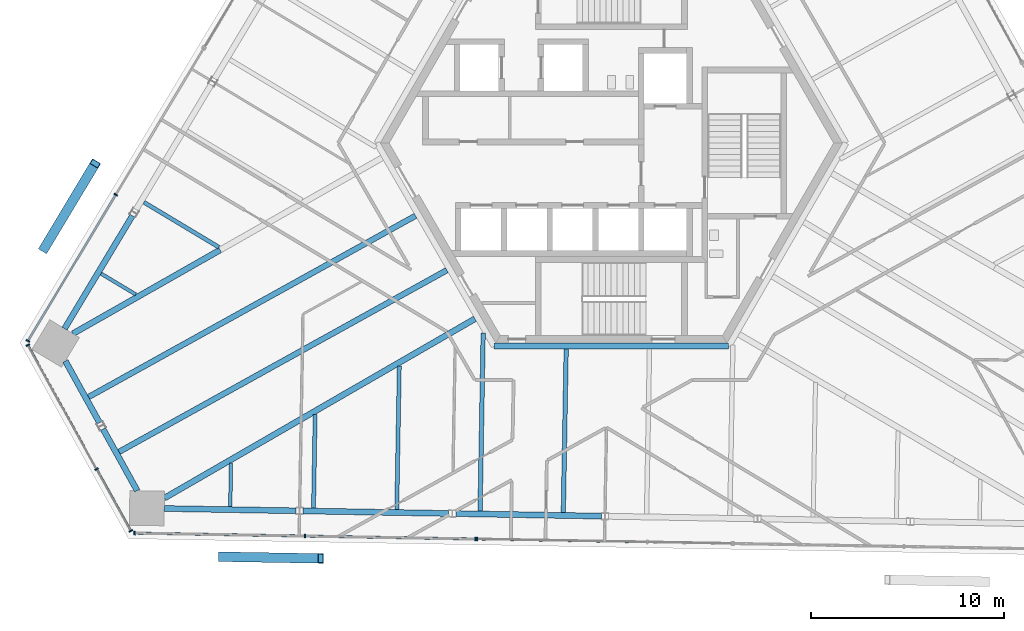
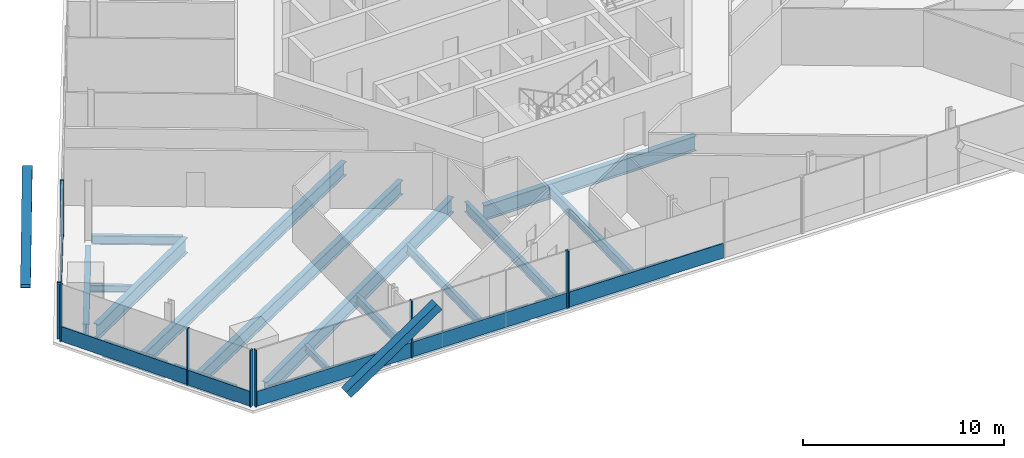
# One storey, part 4 of 19: 18 beams, 17 members, 4 elements without a shape of their own.
"""IFC4 building model written with IfcOpenShell, lengths in metres."""

import ifcopenshell
import ifcopenshell.guid

model = None  # the IFC model being written
_history = None  # IfcOwnerHistory: only IFC2X3 demands one
_inside = {}  # id of a spatial element -> (the spatial element, [elements in it])
_under = {}  # id of a project, library or spatial element -> (it, [spatial elements below it])
_declared = {}  # id of a project -> (the project, [libraries it declares])
_typed = {}  # id of a type object -> (the type object, [elements of that type])
_made_of = {}  # id of a material, layer set ... -> (it, [elements and type objects made of it])


def new_model(schema):
    """Start an empty IFC model of exactly this schema.

    Asked for "IFC4X3", IfcOpenShell would pick the latest addendum, in which some entities
    have other attributes; the version numbers below select the first issue.
    IFC2X3 requires an IfcOwnerHistory on every rooted entity: one is made here for all.
    """
    global model, _history
    if schema == "IFC4X3":
        model = ifcopenshell.file(schema_version=(4, 3, 0, 0))
    else:
        model = ifcopenshell.file(schema=schema)
    _inside.clear()
    _under.clear()
    _declared.clear()
    _typed.clear()
    _made_of.clear()
    _history = None
    if model.schema == "IFC2X3":
        org = make("IfcOrganization", Name="unknown")
        user = make(
            "IfcPersonAndOrganization",
            ThePerson=make("IfcPerson", FamilyName="unknown"),
            TheOrganization=org,
        )
        app = make(
            "IfcApplication",
            ApplicationDeveloper=org,
            Version="unknown",
            ApplicationFullName="unknown",
            ApplicationIdentifier="unknown",
        )
        _history = make(
            "IfcOwnerHistory",
            OwningUser=user,
            OwningApplication=app,
            ChangeAction="ADDED",
            CreationDate=0,
        )
    return model


def make(cls, **values):
    """One entity of the class cls with the attributes given. An attribute that is None is left unset."""
    return model.create_entity(
        cls, **{name: value for name, value in values.items() if value is not None}
    )


def rooted(cls, **values):
    """An entity with a GlobalId (a new one), such as an element, a storey or a relation."""
    return make(cls, GlobalId=ifcopenshell.guid.new(), OwnerHistory=_history, **values)


def si_unit(unit_type, name, prefix=None):
    """IfcSIUnit, for example si_unit("LENGTHUNIT", "METRE", prefix="MILLI")."""
    return make("IfcSIUnit", UnitType=unit_type, Prefix=prefix, Name=name)


def assignment(units):
    """IfcUnitAssignment: the units of a project."""
    return None if units is None else make("IfcUnitAssignment", Units=units)


def point(xyz):
    """IfcCartesianPoint."""
    return None if xyz is None else make("IfcCartesianPoint", Coordinates=xyz)


def direction(xyz):
    """IfcDirection."""
    return None if xyz is None else make("IfcDirection", DirectionRatios=xyz)


def frame(location, z_axis=None, x_axis=None):
    """IfcAxis2Placement3D, a coordinate frame: its origin and axes. An axis left out is left unset."""
    return make(
        "IfcAxis2Placement3D",
        Location=point(location),
        Axis=direction(z_axis),
        RefDirection=direction(x_axis),
    )


def frame_2d(location, x_axis=None):
    """IfcAxis2Placement2D, a coordinate frame in the plane: its origin and x axis."""
    return make(
        "IfcAxis2Placement2D", Location=point(location), RefDirection=direction(x_axis)
    )


def origin():
    """The frame at (0, 0, 0) with its axes left unset."""
    return frame((0.0, 0.0, 0.0))


def origin_2d():
    """The frame at (0, 0) in the plane with its x axis left unset."""
    return frame_2d((0.0, 0.0))


def place(relative_to, where):
    """IfcLocalPlacement: puts the frame where relative to a parent placement (None: the world)."""
    return make(
        "IfcLocalPlacement", PlacementRelTo=relative_to, RelativePlacement=where
    )


def context(
    kind, dimensions, precision=None, world=None, true_north=None, identifier=None
):
    """IfcGeometricRepresentationContext, for example the 3D "Model" context."""
    return make(
        "IfcGeometricRepresentationContext",
        ContextIdentifier=identifier,
        ContextType=kind,
        CoordinateSpaceDimension=dimensions,
        Precision=precision,
        WorldCoordinateSystem=world,
        TrueNorth=true_north,
    )


def subcontext(parent, identifier, kind, view, scale=None):
    """IfcGeometricRepresentationSubContext, for example "Body" below "Model"."""
    return make(
        "IfcGeometricRepresentationSubContext",
        ContextIdentifier=identifier,
        ContextType=kind,
        ParentContext=parent,
        TargetScale=scale,
        TargetView=view,
    )


def project(units=None, contexts=None):
    """IfcProject with its units and contexts."""
    return rooted(
        "IfcProject",
        Name="project",
        RepresentationContexts=contexts,
        UnitsInContext=assignment(units),
    )


def spatial(cls, under=None, at=None, **own):
    """A site, building, storey or space (cls), placed at a placement, below another one or the project."""
    s = rooted(cls, ObjectPlacement=at, **own)
    if under is not None:
        _under.setdefault(under.id(), (under, []))[1].append(s)
    return s


def profile(cls, at=None, kind="AREA", **sizes):
    """A parametric profile (cls). Its sizes go by their IFC names, for example OverallWidth=200.0."""
    return make(cls, ProfileType=kind, Position=at, **sizes)


def rectangle(**sizes):
    """IfcRectangleProfileDef."""
    return profile("IfcRectangleProfileDef", **sizes)


def hollow_rectangle(**sizes):
    """IfcRectangleHollowProfileDef."""
    return profile("IfcRectangleHollowProfileDef", **sizes)


def i_section(**sizes):
    """IfcIShapeProfileDef."""
    return profile("IfcIShapeProfileDef", **sizes)


def extrude(swept, where, along, depth):
    """IfcExtrudedAreaSolid: the profile swept, set in the frame where, extruded along a direction by depth."""
    return make(
        "IfcExtrudedAreaSolid",
        SweptArea=swept,
        Position=where,
        ExtrudedDirection=direction(along),
        Depth=depth,
    )


def shape(context_of_items, identifier, shape_type, items):
    """IfcShapeRepresentation: the items that make up one representation, for example the "Body"."""
    return make(
        "IfcShapeRepresentation",
        ContextOfItems=context_of_items,
        RepresentationIdentifier=identifier,
        RepresentationType=shape_type,
        Items=items,
    )


def source(mapping_origin, context_of_items, identifier, shape_type, items):
    """IfcRepresentationMap: a shape defined once, which mapped items show again and again."""
    return make(
        "IfcRepresentationMap",
        MappingOrigin=mapping_origin,
        MappedRepresentation=shape(context_of_items, identifier, shape_type, items),
    )


def transform(
    local_origin,
    x_axis=None,
    y_axis=None,
    z_axis=None,
    scale=None,
    scale2=None,
    scale3=None,
    uniform=True,
):
    """IfcCartesianTransformationOperator3D, or its non-uniform kind. x_axis, y_axis, z_axis: its Axis1, 2, 3."""
    if uniform:
        return make(
            "IfcCartesianTransformationOperator3D",
            Axis1=direction(x_axis),
            Axis2=direction(y_axis),
            LocalOrigin=point(local_origin),
            Scale=scale,
            Axis3=direction(z_axis),
        )
    return make(
        "IfcCartesianTransformationOperator3DnonUniform",
        Axis1=direction(x_axis),
        Axis2=direction(y_axis),
        LocalOrigin=point(local_origin),
        Scale=scale,
        Axis3=direction(z_axis),
        Scale2=scale2,
        Scale3=scale3,
    )


def mapped(mapping_source, mapping_target):
    """IfcMappedItem: shows the shape of a source again, moved by a transform."""
    return make(
        "IfcMappedItem", MappingSource=mapping_source, MappingTarget=mapping_target
    )


def material(Name=None, Category=None):
    """IfcMaterial."""
    return make("IfcMaterial", Name=Name, Category=Category)


def material_profile(
    of_material, cross_section, Name=None, Category=None, Priority=None
):
    """IfcMaterialProfile: a cross section and its material."""
    return make(
        "IfcMaterialProfile",
        Name=Name,
        Material=of_material,
        Profile=cross_section,
        Priority=Priority,
        Category=Category,
    )


def profile_set(profiles, Name=None, composite=None):
    """IfcMaterialProfileSet."""
    return make(
        "IfcMaterialProfileSet",
        Name=Name,
        MaterialProfiles=profiles,
        CompositeProfile=composite,
    )


def made_of(thing, what):
    """Note that an element or type object is made of a material, layer set ...; save() writes the relation."""
    if what is not None:
        _made_of.setdefault(what.id(), (what, []))[1].append(thing)
    return thing


def type_object(cls, material=None, **own):
    """A type object (cls), such as IfcWallType, which elements share."""
    return made_of(rooted(cls, **own), material)


def element(
    cls,
    number,
    at=None,
    inside=None,
    cuts=None,
    type_object=None,
    material=None,
    context=None,
    identifier="Body",
    shape_type=None,
    held_by="IfcProductDefinitionShape",
    body=None,
    shapes=None,
    **own,
):
    """One element of the class cls, such as IfcWall. Its Tag is "e" and its number.

    at: its placement. inside: the storey or other place that contains it. cuts: it is an
    opening in that element (IfcRelVoidsElement). A single representation is given by context,
    identifier, shape_type and body (its items); several are given by shapes. held_by: the class
    of the entity that holds the representations. save() writes the other relations.
    """
    e = rooted(cls, Tag="e%d" % number, ObjectPlacement=at, **own)
    if body is not None:
        shapes = [shape(context, identifier, shape_type, body)]
    if shapes is not None:
        e.Representation = make(held_by, Representations=shapes)
    if inside is not None:
        _inside.setdefault(inside.id(), (inside, []))[1].append(e)
    if cuts is not None:
        rooted(
            "IfcRelVoidsElement", RelatingBuildingElement=cuts, RelatedOpeningElement=e
        )
    if type_object is not None:
        _typed.setdefault(type_object.id(), (type_object, []))[1].append(e)
    return made_of(e, material)


def aggregate(whole, parts):
    """IfcRelAggregates: a whole, such as a stair, and the parts it consists of."""
    return rooted("IfcRelAggregates", RelatingObject=whole, RelatedObjects=parts)


def save(model, path):
    """Write the relations noted so far, then the file.

    IfcRelAggregates (storeys below a building ...), IfcRelContainedInSpatialStructure (elements
    in a storey), IfcRelDefinesByType, IfcRelAssociatesMaterial and IfcRelDeclares: one each for
    every whole, place, type object, material and project.
    """
    for whole, parts in _under.values():
        aggregate(whole, parts)
    for where, things in _inside.values():
        rooted(
            "IfcRelContainedInSpatialStructure",
            RelatedElements=things,
            RelatingStructure=where,
        )
    for kind, things in _typed.values():
        rooted("IfcRelDefinesByType", RelatedObjects=things, RelatingType=kind)
    for what, things in _made_of.values():
        rooted("IfcRelAssociatesMaterial", RelatedObjects=things, RelatingMaterial=what)
    for by, libraries in _declared.values():
        rooted("IfcRelDeclares", RelatingContext=by, RelatedDefinitions=libraries)
    model.write(path)


model = new_model("IFC4")

# Units and contexts
model_context = context("Model", 3, precision=1e-05, world=origin(), true_north=direction((0.0, 1.0)))
body_context = subcontext(model_context, "Body", "Model", "MODEL_VIEW")
ifc_project = project(units=[si_unit("LENGTHUNIT", "METRE"), si_unit("AREAUNIT", "SQUARE_METRE"), si_unit("VOLUMEUNIT", "CUBIC_METRE"), si_unit("PLANEANGLEUNIT", "RADIAN"), si_unit("MASSUNIT", "GRAM", prefix="KILO")], contexts=[model_context])

# Site, building, storey
site_placement = place(None, origin())
site = spatial("IfcSite", under=ifc_project, at=site_placement, CompositionType="ELEMENT")
building_placement = place(site_placement, origin())
building = spatial("IfcBuilding", under=site, at=building_placement, Name="Triune Harvest Tower", CompositionType="ELEMENT")
storey_placement = place(building_placement, frame((0.0, 0.0, 183.5)))
storey = spatial("IfcBuildingStorey", under=building, at=storey_placement, Name="L47", CompositionType="ELEMENT", Elevation=183.5)

# Beams
ifc_material_1 = material(Name="Steel ASTM A992 Gr 50", Category="steel")
ifc_material_profile_1 = material_profile(ifc_material_1, i_section(OverallWidth=0.3046875, OverallDepth=0.914306640625, WebThickness=0.0166015625, FlangeThickness=0.02587890625, at=origin_2d()), Name="W36x160")
ifc_profile_set_1 = profile_set([ifc_material_profile_1], Name="Steel ASTM A992 Gr 50")
beam_type_1 = type_object("IfcBeamType", Name="CG-1 Core ring girder W36x160", PredefinedType="BEAM", material=ifc_profile_set_1)
shared_shape_1 = source(origin(), body_context, "Body", "SweptSolid", [
    extrude(i_section(OverallWidth=0.3046875, OverallDepth=0.914306640625, WebThickness=0.0166015625, FlangeThickness=0.02587890625, at=origin_2d()), origin(), (0.0, 0.0, 1.0), 12.17578125),
])
beam_1_placement = place(storey_placement, frame((-6.087890625, -10.544677734375, -0.6171875), z_axis=(1.0, 0.0, 0.0), x_axis=(0.0, 1.0, 0.0)))
element("IfcBeam", 1, at=beam_1_placement, inside=storey, type_object=beam_type_1, Name="beam/L47/CG5", PredefinedType="BEAM", context=body_context, shape_type="MappedRepresentation", body=[
    mapped(shared_shape_1, transform((0.0, 0.0, 0.0), scale=1.0)),
])
ifc_material_2 = material(Name="Steel ASTM A992 Gr 50", Category="steel")
ifc_material_profile_2 = material_profile(ifc_material_2, i_section(OverallWidth=0.3046875, OverallDepth=0.914306640625, WebThickness=0.0166015625, FlangeThickness=0.02587890625, at=origin_2d()), Name="W36x160")
ifc_profile_set_2 = profile_set([ifc_material_profile_2], Name="Steel ASTM A992 Gr 50")
beam_type_2 = type_object("IfcBeamType", Name="SB-1 Spandrel beam W36x160", PredefinedType="SPANDREL", material=ifc_profile_set_2)
shared_shape_2 = source(origin(), body_context, "Body", "SweptSolid", [
    extrude(i_section(OverallWidth=0.3046875, OverallDepth=0.914306640625, WebThickness=0.0166015625, FlangeThickness=0.02587890625, at=origin_2d()), origin(), (0.0, 0.0, 1.0), 6.841796875),
])
for number, where, z_axis, x_axis, name in (
    (2, (-24.86865234375, -3.77001953125, -0.6171875), (-0.515057137128, -0.857155846678, 0.0), (0.857155846678, -0.515057137128, 0.0), "beam/L47/SB14"),
    (3, (-23.21630859375, -18.97265625, -0.6171875), (0.999847751763, -0.01744916312, 0.0), (0.01744916312, 0.999847751763, 0.0), "beam/L47/SB17"),
):
    element("IfcBeam", number, at=place(storey_placement, frame(where, z_axis=z_axis, x_axis=x_axis)), inside=storey, type_object=beam_type_2, Name=name, PredefinedType="SPANDREL", context=body_context, shape_type="MappedRepresentation", body=[
        mapped(shared_shape_2, transform((0.0, 0.0, 0.0), scale=1.0)),
    ])
shared_shape_3 = source(origin(), body_context, "Body", "SweptSolid", [
    extrude(i_section(OverallWidth=0.3046875, OverallDepth=0.914306640625, WebThickness=0.0166015625, FlangeThickness=0.02587890625, at=origin_2d()), origin(), (0.0, 0.0, 1.0), 7.556396484375),
])
for number, where, z_axis, x_axis, name in (
    (4, (-16.0048828125, -19.098388671875, -0.6171875), (0.99984722371, -0.017479394688, 0.0), (0.017479394688, 0.99984722371, 0.0), "beam/L47/SB18"),
    (5, (-8.078857421875, -19.23681640625, -0.6171875), (0.99984722371, -0.017479394688, 0.0), (0.017479394688, 0.99984722371, 0.0), "beam/L47/SB19"),
):
    element("IfcBeam", number, at=place(storey_placement, frame(where, z_axis=z_axis, x_axis=x_axis)), inside=storey, type_object=beam_type_2, Name=name, PredefinedType="SPANDREL", context=body_context, shape_type="MappedRepresentation", body=[
        mapped(shared_shape_3, transform((0.0, 0.0, 0.0), scale=1.0)),
    ])
shared_shape_4 = source(origin(), body_context, "Body", "SweptSolid", [
    extrude(i_section(OverallWidth=0.3046875, OverallDepth=0.914306640625, WebThickness=0.0166015625, FlangeThickness=0.02587890625, at=origin_2d()), origin(), (0.0, 0.0, 1.0), 3.66357421875),
])
beam_2_placement = place(storey_placement, frame((-26.396240234375, -14.84375, -0.6171875), z_axis=(0.484794006312, -0.874628361903, 0.0), x_axis=(0.874628361903, 0.484794006312, 0.0)))
element("IfcBeam", 6, at=beam_2_placement, inside=storey, type_object=beam_type_2, Name="beam/L47/SB16", PredefinedType="SPANDREL", context=body_context, shape_type="MappedRepresentation", body=[
    mapped(shared_shape_4, transform((0.0, 0.0, 0.0), scale=1.0)),
])
shared_shape_5 = source(origin(), body_context, "Body", "SweptSolid", [
    extrude(i_section(OverallWidth=0.3046875, OverallDepth=0.914306640625, WebThickness=0.0166015625, FlangeThickness=0.02587890625, at=origin_2d()), origin(), (0.0, 0.0, 1.0), 3.663818359375),
])
beam_3_placement = place(storey_placement, frame((-28.352294921875, -11.31494140625, -0.6171875), z_axis=(0.484844980499, -0.874600105697, 0.0), x_axis=(0.874600105697, 0.484844980499, 0.0)))
element("IfcBeam", 7, at=beam_3_placement, inside=storey, type_object=beam_type_2, Name="beam/L47/SB15", PredefinedType="SPANDREL", context=body_context, shape_type="MappedRepresentation", body=[
    mapped(shared_shape_5, transform((0.0, 0.0, 0.0), scale=1.0)),
])
ifc_material_3 = material(Name="Steel ASTM A992 Gr 50", Category="steel")
ifc_material_profile_3 = material_profile(ifc_material_3, i_section(OverallWidth=0.307373046875, OverallDepth=0.922119140625, WebThickness=0.018310546875, FlangeThickness=0.030029296875, at=origin_2d()), Name="W36x182")
ifc_profile_set_3 = profile_set([ifc_material_profile_3], Name="Steel ASTM A992 Gr 50")
beam_type_3 = type_object("IfcBeamType", Name="HG-2 Hip girder W36x182", PredefinedType="BEAM", material=ifc_profile_set_3)
shared_shape_6 = source(origin(), body_context, "Body", "SweptSolid", [
    extrude(i_section(OverallWidth=0.307373046875, OverallDepth=0.922119140625, WebThickness=0.018310546875, FlangeThickness=0.030029296875, at=origin_2d()), origin(), (0.0, 0.0, 1.0), 8.79150390625),
])
beam_4_placement = place(storey_placement, frame((-27.958251953125, -9.8955078125, -0.62109375), z_axis=(0.869275144509, 0.494328557883, 0.0), x_axis=(-0.494328557883, 0.869275144509, 0.0)))
element("IfcBeam", 8, at=beam_4_placement, inside=storey, type_object=beam_type_3, Name="beam/L47/HG5", PredefinedType="BEAM", context=body_context, shape_type="MappedRepresentation", body=[
    mapped(shared_shape_6, transform((0.0, 0.0, 0.0), scale=1.0)),
])
shared_shape_7 = source(origin(), body_context, "Body", "SweptSolid", [
    extrude(i_section(OverallWidth=0.307373046875, OverallDepth=0.922119140625, WebThickness=0.018310546875, FlangeThickness=0.030029296875, at=origin_2d()), origin(), (0.0, 0.0, 1.0), 18.616455078125),
])
beam_5_placement = place(storey_placement, frame((-23.206787109375, -18.431884765625, -0.62109375), z_axis=(0.866022449336, 0.50000511722, 0.0), x_axis=(-0.50000511722, 0.866022449336, 0.0)))
element("IfcBeam", 9, at=beam_5_placement, inside=storey, type_object=beam_type_3, Name="beam/L47/HG7", PredefinedType="BEAM", context=body_context, shape_type="MappedRepresentation", body=[
    mapped(shared_shape_7, transform((0.0, 0.0, 0.0), scale=1.0)),
])
ifc_material_4 = material(Name="Steel ASTM A992 Gr 50", Category="steel")
ifc_material_profile_4 = material_profile(ifc_material_4, i_section(OverallWidth=0.22900390625, OverallDepth=0.612060546875, WebThickness=0.011962890625, FlangeThickness=0.01953125, at=origin_2d()), Name="W24x84")
ifc_profile_set_4 = profile_set([ifc_material_profile_4], Name="Steel ASTM A992 Gr 50")
beam_type_4 = type_object("IfcBeamType", Name="JT-3 Floor joist W24x84", PredefinedType="JOIST", material=ifc_profile_set_4)
shared_shape_8 = source(origin(), body_context, "Body", "SweptSolid", [
    extrude(i_section(OverallWidth=0.22900390625, OverallDepth=0.612060546875, WebThickness=0.011962890625, FlangeThickness=0.01953125, at=origin_2d()), origin(), (0.0, 0.0, 1.0), 9.247314453125),
])
beam_6_placement = place(storey_placement, frame((-6.8203125, -19.1064453125, -0.466064453125), z_axis=(0.017451330541, 0.999847713936, 0.0), x_axis=(-0.999847713936, 0.017451330541, 0.0)))
element("IfcBeam", 10, at=beam_6_placement, inside=storey, type_object=beam_type_4, Name="beam/L47/JT28", PredefinedType="JOIST", context=body_context, shape_type="MappedRepresentation", body=[
    mapped(shared_shape_8, transform((0.0, 0.0, 0.0), scale=1.0)),
])
shared_shape_9 = source(origin(), body_context, "Body", "SweptSolid", [
    extrude(i_section(OverallWidth=0.22900390625, OverallDepth=0.612060546875, WebThickness=0.011962890625, FlangeThickness=0.01953125, at=origin_2d()), origin(), (0.0, 0.0, 1.0), 8.486083984375),
])
beam_7_placement = place(storey_placement, frame((-2.4970703125, -19.181884765625, -0.466064453125), z_axis=(0.017434191628, 0.999848012931, 0.0), x_axis=(-0.999848012931, 0.017434191628, 0.0)))
element("IfcBeam", 11, at=beam_7_placement, inside=storey, type_object=beam_type_4, Name="beam/L47/JT29", PredefinedType="JOIST", context=body_context, shape_type="MappedRepresentation", body=[
    mapped(shared_shape_9, transform((0.0, 0.0, 0.0), scale=1.0)),
])
ifc_material_5 = material(Name="Steel ASTM A992 Gr 50", Category="steel")
ifc_material_profile_5 = material_profile(ifc_material_5, i_section(OverallWidth=0.2099609375, OverallDepth=0.535888671875, WebThickness=0.010986328125, FlangeThickness=0.017333984375, at=origin_2d()), Name="W21x68")
ifc_profile_set_5 = profile_set([ifc_material_profile_5], Name="Steel ASTM A992 Gr 50")
beam_type_5 = type_object("IfcBeamType", Name="JT-2 Floor joist W21x68", PredefinedType="JOIST", material=ifc_profile_set_5)
shared_shape_10 = source(origin(), body_context, "Body", "SweptSolid", [
    extrude(i_section(OverallWidth=0.2099609375, OverallDepth=0.535888671875, WebThickness=0.010986328125, FlangeThickness=0.017333984375, at=origin_2d()), origin(), (0.0, 0.0, 1.0), 4.538818359375),
])
beam_8_placement = place(storey_placement, frame((-24.271484375, -3.072021484375, -0.427978515625), z_axis=(0.85717477652, -0.515025632855, 0.0), x_axis=(0.515025632855, 0.85717477652, 0.0)))
element("IfcBeam", 12, at=beam_8_placement, inside=storey, type_object=beam_type_5, Name="beam/L47/JT21", PredefinedType="JOIST", context=body_context, shape_type="MappedRepresentation", body=[
    mapped(shared_shape_10, transform((0.0, 0.0, 0.0), scale=1.0)),
])
ifc_material_6 = material(Name="Steel ASTM A992 Gr 50", Category="steel")
ifc_material_profile_6 = material_profile(ifc_material_6, i_section(OverallWidth=0.2919921875, OverallDepth=0.8408203125, WebThickness=0.0146484375, FlangeThickness=0.021728515625, at=origin_2d()), Name="W33x130")
ifc_profile_set_6 = profile_set([ifc_material_profile_6], Name="Steel ASTM A992 Gr 50")
beam_type_6 = type_object("IfcBeamType", Name="JT-6 Floor joist W33x130", PredefinedType="JOIST", material=ifc_profile_set_6)
shared_shape_11 = source(origin(), body_context, "Body", "SweptSolid", [
    extrude(i_section(OverallWidth=0.2919921875, OverallDepth=0.8408203125, WebThickness=0.0146484375, FlangeThickness=0.021728515625, at=origin_2d()), origin(), (0.0, 0.0, 1.0), 19.403564453125),
])
beam_9_placement = place(storey_placement, frame((-27.142822265625, -13.1826171875, -0.580322265625), z_axis=(0.874615069694, 0.484817986325, 0.0), x_axis=(-0.484817986325, 0.874615069694, 0.0)))
element("IfcBeam", 13, at=beam_9_placement, inside=storey, type_object=beam_type_6, Name="beam/L47/JT23", PredefinedType="JOIST", context=body_context, shape_type="MappedRepresentation", body=[
    mapped(shared_shape_11, transform((0.0, 0.0, 0.0), scale=1.0)),
])
shared_shape_12 = source(origin(), body_context, "Body", "SweptSolid", [
    extrude(i_section(OverallWidth=0.2919921875, OverallDepth=0.8408203125, WebThickness=0.0146484375, FlangeThickness=0.021728515625, at=origin_2d()), origin(), (0.0, 0.0, 1.0), 19.460205078125),
])
beam_10_placement = place(storey_placement, frame((-25.562744140625, -16.03271484375, -0.580322265625), z_axis=(0.874617874633, 0.484812926161, 0.0), x_axis=(-0.484812926161, 0.874617874633, 0.0)))
element("IfcBeam", 14, at=beam_10_placement, inside=storey, type_object=beam_type_6, Name="beam/L47/JT24", PredefinedType="JOIST", context=body_context, shape_type="MappedRepresentation", body=[
    mapped(shared_shape_12, transform((0.0, 0.0, 0.0), scale=1.0)),
])
shared_shape_13 = source(origin(), body_context, "Body", "SweptSolid", [
    extrude(i_section(OverallWidth=0.2099609375, OverallDepth=0.535888671875, WebThickness=0.010986328125, FlangeThickness=0.017333984375, at=origin_2d()), origin(), (0.0, 0.0, 1.0), 4.864501953125),
])
beam_11_placement = place(storey_placement, frame((-15.467041015625, -18.95556640625, -0.427978515625), z_axis=(0.017465461228, 0.999847467199, 0.0), x_axis=(-0.999847467199, 0.017465461228, 0.0)))
element("IfcBeam", 15, at=beam_11_placement, inside=storey, type_object=beam_type_5, Name="beam/L47/JT26", PredefinedType="JOIST", context=body_context, shape_type="MappedRepresentation", body=[
    mapped(shared_shape_13, transform((0.0, 0.0, 0.0), scale=1.0)),
])
ifc_material_7 = material(Name="Steel ASTM A992 Gr 50", Category="steel")
ifc_material_profile_7 = material_profile(ifc_material_7, i_section(OverallWidth=0.180908203125, OverallDepth=0.41650390625, WebThickness=0.010986328125, FlangeThickness=0.01806640625, at=origin_2d()), Name="W16x57")
ifc_profile_set_7 = profile_set([ifc_material_profile_7], Name="Steel ASTM A992 Gr 50")
beam_type_7 = type_object("IfcBeamType", Name="JT-1 Floor joist W16x57", PredefinedType="JOIST", material=ifc_profile_set_7)
shared_shape_14 = source(origin(), body_context, "Body", "SweptSolid", [
    extrude(i_section(OverallWidth=0.180908203125, OverallDepth=0.41650390625, WebThickness=0.010986328125, FlangeThickness=0.01806640625, at=origin_2d()), origin(), (0.0, 0.0, 1.0), 2.104736328125),
])
beam_12_placement = place(storey_placement, frame((-26.498291015625, -6.7783203125, -0.368408203125), z_axis=(0.857185733632, -0.51500739612, 0.0), x_axis=(0.51500739612, 0.857185733632, 0.0)))
element("IfcBeam", 16, at=beam_12_placement, inside=storey, type_object=beam_type_7, Name="beam/L47/JT22", PredefinedType="JOIST", context=body_context, shape_type="MappedRepresentation", body=[
    mapped(shared_shape_14, transform((0.0, 0.0, 0.0), scale=1.0)),
])
shared_shape_15 = source(origin(), body_context, "Body", "SweptSolid", [
    extrude(i_section(OverallWidth=0.180908203125, OverallDepth=0.41650390625, WebThickness=0.010986328125, FlangeThickness=0.01806640625, at=origin_2d()), origin(), (0.0, 0.0, 1.0), 2.26611328125),
])
beam_13_placement = place(storey_placement, frame((-19.790283203125, -18.8798828125, -0.368408203125), z_axis=(0.017452357155, 0.999847696017, 0.0), x_axis=(-0.999847696017, 0.017452357155, 0.0)))
element("IfcBeam", 17, at=beam_13_placement, inside=storey, type_object=beam_type_7, Name="beam/L47/JT25", PredefinedType="JOIST", context=body_context, shape_type="MappedRepresentation", body=[
    mapped(shared_shape_15, transform((0.0, 0.0, 0.0), scale=1.0)),
])
shared_shape_16 = source(origin(), body_context, "Body", "SweptSolid", [
    extrude(i_section(OverallWidth=0.2099609375, OverallDepth=0.535888671875, WebThickness=0.010986328125, FlangeThickness=0.017333984375, at=origin_2d()), origin(), (0.0, 0.0, 1.0), 7.462890625),
])
beam_14_placement = place(storey_placement, frame((-11.143798828125, -19.031005859375, -0.427978515625), z_axis=(0.017469440512, 0.99984739768, 0.0), x_axis=(-0.99984739768, 0.017469440512, 0.0)))
element("IfcBeam", 18, at=beam_14_placement, inside=storey, type_object=beam_type_5, Name="beam/L47/JT27", PredefinedType="JOIST", context=body_context, shape_type="MappedRepresentation", body=[
    mapped(shared_shape_16, transform((0.0, 0.0, 0.0), scale=1.0)),
])

# Members
ifc_material_8 = material(Name="Steel ASTM A572 Gr 50", Category="steel")
ifc_material_profile_8 = material_profile(ifc_material_8, hollow_rectangle(XDim=0.5, YDim=0.5, WallThickness=0.030029296875, at=origin_2d()), Name="Box 500x500x30")
ifc_profile_set_8 = profile_set([ifc_material_profile_8], Name="Steel ASTM A572 Gr 50")
member_type_1 = type_object("IfcMemberType", Name="BR-3 Brace Box 500x500x30", PredefinedType="BRACE", material=ifc_profile_set_8)
shared_shape_17 = source(origin(), body_context, "Body", "SweptSolid", [
    extrude(hollow_rectangle(XDim=0.5, YDim=0.5, WallThickness=0.030029296875, at=origin_2d()), origin(), (0.0, 0.0, 1.0), 6.302734375),
])
for number, where, z_axis, x_axis, name in (
    (19, (-29.46630859375, -5.495849609375, 0.0), (0.422753164689, 0.703581499304, 0.571185465136), (-0.857167973286, 0.515036955541, 0.0), "brace/B5-F3/d2/2"),
    (20, (-20.264892578125, -21.4765625, 0.0), (0.820689805227, -0.01433214839, 0.571194216636), (0.017460876598, 0.999847547273, 0.0), "brace/B5-F5/d1/2"),
):
    element("IfcMember", number, at=place(storey_placement, frame(where, z_axis=z_axis, x_axis=x_axis)), inside=storey, type_object=member_type_1, Name=name, PredefinedType="BRACE", context=body_context, shape_type="MappedRepresentation", body=[
        mapped(shared_shape_17, transform((0.0, 0.0, 0.0), scale=1.0)),
    ])

# Curtain wall, members
ifc_material_9 = material(Name="Aluminium bronze anodised", Category="aluminium")
curtain_wall_type_1 = type_object("IfcCurtainWallType", Name="CW-1 Tower stick curtain wall", PredefinedType="NOTDEFINED", material=ifc_material_9)
curtain_wall_1_placement = place(storey_placement, origin())
curtain_wall_1 = element("IfcCurtainWall", 21, at=curtain_wall_1_placement, inside=storey, type_object=curtain_wall_type_1, Name="CW-1 B5-F4 L47 run 1")
ifc_material_10 = material(Name="Aluminium bronze anodised", Category="aluminium")
ifc_material_profile_9 = material_profile(ifc_material_10, rectangle(XDim=0.199951171875, YDim=0.074951171875, at=origin_2d()), Name="MU-1 mullion 75 x 200")
ifc_profile_set_9 = profile_set([ifc_material_profile_9], Name="Aluminium bronze anodised")
member_type_2 = type_object("IfcMemberType", Name="MU-1 mullion 75 x 200", PredefinedType="MULLION", material=ifc_profile_set_9)
shared_shape_18 = source(origin(), body_context, "Body", "SweptSolid", [
    extrude(rectangle(XDim=0.199951171875, YDim=0.074951171875, at=origin_2d()), origin(), (0.0, 0.0, 1.0), 3.43994140625),
])
member_1_placement = place(storey_placement, frame((-30.297607421875, -10.4912109375, 0.0), z_axis=(0.0, 0.0, 1.0), x_axis=(0.874623958582, 0.484801950362, 0.0)))
member_1 = element("IfcMember", 22, at=member_1_placement, type_object=member_type_2, Name="CW-1 mullion B5-F4 1.1", PredefinedType="MULLION", context=body_context, shape_type="MappedRepresentation", body=[
    mapped(shared_shape_18, transform((0.0, 0.0, 0.0), scale=1.0)),
])
member_2_placement = place(storey_placement, frame((-26.72802734375, -16.930908203125, 0.0), z_axis=(0.0, 0.0, 1.0), x_axis=(0.874623958582, 0.484801950362, 0.0)))
member_2 = element("IfcMember", 23, at=member_2_placement, type_object=member_type_2, Name="CW-1 mullion B5-F4 1.3", PredefinedType="MULLION", context=body_context, shape_type="MappedRepresentation", body=[
    mapped(shared_shape_18, transform((0.0, 0.0, 0.0), scale=1.0)),
])
member_3_placement = place(storey_placement, frame((-24.952392578125, -20.13427734375, 0.0), z_axis=(0.0, 0.0, 1.0), x_axis=(0.874623958582, 0.484801950362, 0.0)))
member_3 = element("IfcMember", 24, at=member_3_placement, type_object=member_type_2, Name="CW-1 mullion B5-F4 1.4", PredefinedType="MULLION", context=body_context, shape_type="MappedRepresentation", body=[
    mapped(shared_shape_18, transform((0.0, 0.0, 0.0), scale=1.0)),
])

ifc_material_11 = material(Name="Aluminium bronze anodised", Category="aluminium")
curtain_wall_type_2 = type_object("IfcCurtainWallType", Name="CW-7 Tower stick curtain wall with insulated spandrel infill", PredefinedType="NOTDEFINED", material=ifc_material_11)
curtain_wall_2_placement = place(storey_placement, origin())
curtain_wall_2 = element("IfcCurtainWall", 25, at=curtain_wall_2_placement, inside=storey, type_object=curtain_wall_type_2, Name="CW-7 B5-F5 L47 run 1")
member_4_placement = place(storey_placement, frame((-24.76318359375, -20.248046875, 0.0), z_axis=(0.0, 0.0, 1.0), x_axis=(0.017451045864, 0.999847718904, 0.0)))
member_4 = element("IfcMember", 26, at=member_4_placement, type_object=member_type_2, Name="CW-7 mullion B5-F5 1.1", PredefinedType="MULLION", context=body_context, shape_type="MappedRepresentation", body=[
    mapped(shared_shape_18, transform((0.0, 0.0, 0.0), scale=1.0)),
])
member_5_placement = place(storey_placement, frame((-15.913330078125, -20.402587890625, 0.0), z_axis=(0.0, 0.0, 1.0), x_axis=(0.017451045864, 0.999847718904, 0.0)))
member_5 = element("IfcMember", 27, at=member_5_placement, type_object=member_type_2, Name="CW-7 mullion B5-F5 1.3", PredefinedType="MULLION", context=body_context, shape_type="MappedRepresentation", body=[
    mapped(shared_shape_18, transform((0.0, 0.0, 0.0), scale=1.0)),
])
member_6_placement = place(storey_placement, frame((-7.063720703125, -20.556884765625, 0.0), z_axis=(0.0, 0.0, 1.0), x_axis=(0.017451045864, 0.999847718904, 0.0)))
member_6 = element("IfcMember", 28, at=member_6_placement, type_object=member_type_2, Name="CW-7 mullion B5-F5 1.5", PredefinedType="MULLION", context=body_context, shape_type="MappedRepresentation", body=[
    mapped(shared_shape_18, transform((0.0, 0.0, 0.0), scale=1.0)),
])

# Curtain wall, member
curtain_wall_3_placement = place(storey_placement, origin())
curtain_wall_3 = element("IfcCurtainWall", 29, at=curtain_wall_3_placement, inside=storey, type_object=curtain_wall_type_1, Name="CW-1 B5-F5 L47 run 1001")
member_7_placement = place(storey_placement, frame((-6.98876953125, -20.558349609375, 0.0), z_axis=(0.0, 0.0, 1.0), x_axis=(0.017453288654, 0.999847679757, 0.0)))
member_7 = element("IfcMember", 30, at=member_7_placement, type_object=member_type_2, Name="CW-1 mullion B5-F5 1001.1", PredefinedType="MULLION", context=body_context, shape_type="MappedRepresentation", body=[
    mapped(shared_shape_18, transform((0.0, 0.0, 0.0), scale=1.0)),
])

# Curtain wall, members
ifc_material_12 = material(Name="Aluminium bronze anodised", Category="aluminium")
curtain_wall_type_3 = type_object("IfcCurtainWallType", Name="CW-10 Balcony window wall with insulated spandrel infill", PredefinedType="NOTDEFINED", material=ifc_material_12)
curtain_wall_4_placement = place(storey_placement, origin())
curtain_wall_4 = element("IfcCurtainWall", 31, at=curtain_wall_4_placement, inside=storey, type_object=curtain_wall_type_3, Name="CW-10 B5-F3 L47 run 1002")
ifc_material_13 = material(Name="Aluminium bronze anodised", Category="aluminium")
ifc_material_profile_10 = material_profile(ifc_material_13, rectangle(XDim=0.199951171875, YDim=0.074951171875, at=origin_2d()), Name="MU-6 mullion 75 x 200")
ifc_profile_set_10 = profile_set([ifc_material_profile_10], Name="Aluminium bronze anodised")
member_type_3 = type_object("IfcMemberType", Name="MU-6 mullion 75 x 200", PredefinedType="MULLION", material=ifc_profile_set_10)
shared_shape_19 = source(origin(), body_context, "Body", "SweptSolid", [
    extrude(rectangle(XDim=0.199951171875, YDim=0.074951171875, at=origin_2d()), origin(), (0.0, 0.0, 1.0), 3.43994140625),
])
member_8_placement = place(storey_placement, frame((-25.7314453125, -2.677734375, 0.0), z_axis=(0.0, 0.0, 1.0), x_axis=(0.85716855673, -0.515035984523, 0.0)))
member_8 = element("IfcMember", 32, at=member_8_placement, type_object=member_type_3, Name="CW-10 mullion B5-F3 1002.3", PredefinedType="MULLION", context=body_context, shape_type="MappedRepresentation", body=[
    mapped(shared_shape_19, transform((0.0, 0.0, 0.0), scale=1.0)),
])
member_9_placement = place(storey_placement, frame((-30.293701171875, -10.2705078125, 0.0), z_axis=(0.0, 0.0, 1.0), x_axis=(0.85716855673, -0.515035984523, 0.0)))
member_9 = element("IfcMember", 33, at=member_9_placement, type_object=member_type_3, Name="CW-10 mullion B5-F3 1002.5", PredefinedType="MULLION", context=body_context, shape_type="MappedRepresentation", body=[
    mapped(shared_shape_19, transform((0.0, 0.0, 0.0), scale=1.0)),
])

# Member
ifc_material_14 = material(Name="Aluminium bronze anodised", Category="aluminium")
ifc_material_profile_11 = material_profile(ifc_material_14, rectangle(XDim=0.090087890625, YDim=0.89990234375, at=origin_2d()), Name="TR-1 transom 90 x 900")
ifc_profile_set_11 = profile_set([ifc_material_profile_11], Name="Aluminium bronze anodised")
member_type_4 = type_object("IfcMemberType", Name="TR-1 transom 90 x 900", PredefinedType="USERDEFINED", material=ifc_profile_set_11)
shared_shape_20 = source(origin(), body_context, "Body", "SweptSolid", [
    extrude(rectangle(XDim=0.090087890625, YDim=0.89990234375, at=origin_2d()), origin(), (0.0, 0.0, 1.0), 7.28759765625),
])
member_10_placement = place(storey_placement, frame((-30.279296875, -10.524169921875, 0.449951171875), z_axis=(0.484786537831, -0.874632501533, 0.0), x_axis=(0.874632501533, 0.484786537831, 0.0)))
member_10 = element("IfcMember", 34, at=member_10_placement, type_object=member_type_4, Name="CW-1 transom B5-F4 1.1", ObjectType="TRANSOM", PredefinedType="USERDEFINED", context=body_context, shape_type="MappedRepresentation", body=[
    mapped(shared_shape_20, transform((0.0, 0.0, 0.0), scale=1.0)),
])

shared_shape_21 = source(origin(), body_context, "Body", "SweptSolid", [
    extrude(rectangle(XDim=0.090087890625, YDim=0.89990234375, at=origin_2d()), origin(), (0.0, 0.0, 1.0), 3.587646484375),
])
member_11_placement = place(storey_placement, frame((-26.7099609375, -16.963623046875, 0.449951171875), z_axis=(0.484781810323, -0.874635121854, 0.0), x_axis=(0.874635121854, 0.484781810323, 0.0)))
member_11 = element("IfcMember", 35, at=member_11_placement, type_object=member_type_4, Name="CW-1 transom B5-F4 1.2", ObjectType="TRANSOM", PredefinedType="USERDEFINED", context=body_context, shape_type="MappedRepresentation", body=[
    mapped(shared_shape_21, transform((0.0, 0.0, 0.0), scale=1.0)),
])

aggregate(curtain_wall_1, [member_1, member_2, member_3, member_10, member_11])

shared_shape_22 = source(origin(), body_context, "Body", "SweptSolid", [
    extrude(rectangle(XDim=0.090087890625, YDim=0.89990234375, at=origin_2d()), origin(), (0.0, 0.0, 1.0), 8.776123046875),
])
member_12_placement = place(storey_placement, frame((-15.8759765625, -20.403076171875, 0.449951171875), z_axis=(0.999847389159, -0.017469928229, 0.0), x_axis=(0.017469928229, 0.999847389159, 0.0)))
member_12 = element("IfcMember", 36, at=member_12_placement, type_object=member_type_4, Name="CW-7 transom B5-F5 1.2", ObjectType="TRANSOM", PredefinedType="USERDEFINED", context=body_context, shape_type="MappedRepresentation", body=[
    mapped(shared_shape_22, transform((0.0, 0.0, 0.0), scale=1.0)),
])

shared_shape_23 = source(origin(), body_context, "Body", "SweptSolid", [
    extrude(rectangle(XDim=0.090087890625, YDim=0.89990234375, at=origin_2d()), origin(), (0.0, 0.0, 1.0), 8.77587890625),
])
member_13_placement = place(storey_placement, frame((-24.7255859375, -20.248779296875, 0.449951171875), z_axis=(0.999847866219, -0.017442603492, 0.0), x_axis=(0.017442603492, 0.999847866219, 0.0)))
member_13 = element("IfcMember", 37, at=member_13_placement, type_object=member_type_4, Name="CW-7 transom B5-F5 1.1", ObjectType="TRANSOM", PredefinedType="USERDEFINED", context=body_context, shape_type="MappedRepresentation", body=[
    mapped(shared_shape_23, transform((0.0, 0.0, 0.0), scale=1.0)),
])

aggregate(curtain_wall_2, [member_4, member_5, member_6, member_13, member_12])

member_14_placement = place(storey_placement, frame((-6.951171875, -20.558837890625, 0.449951171875), z_axis=(0.999847380668, -0.017470414153, 0.0), x_axis=(0.017470414153, 0.999847380668, 0.0)))
member_14 = element("IfcMember", 38, at=member_14_placement, type_object=member_type_4, Name="CW-1 transom B5-F5 1001.1", ObjectType="TRANSOM", PredefinedType="USERDEFINED", context=body_context, shape_type="MappedRepresentation", body=[
    mapped(shared_shape_23, transform((0.0, 0.0, 0.0), scale=1.0)),
])

aggregate(curtain_wall_3, [member_7, member_14])

ifc_material_15 = material(Name="Aluminium bronze anodised", Category="aluminium")
ifc_material_profile_12 = material_profile(ifc_material_15, rectangle(XDim=0.090087890625, YDim=0.14990234375, at=origin_2d()), Name="TR-6 transom 90 x 150")
ifc_profile_set_12 = profile_set([ifc_material_profile_12], Name="Aluminium bronze anodised")
member_type_5 = type_object("IfcMemberType", Name="TR-6 transom 90 x 150", PredefinedType="USERDEFINED", material=ifc_profile_set_12)
shared_shape_24 = source(origin(), body_context, "Body", "SweptSolid", [
    extrude(rectangle(XDim=0.090087890625, YDim=0.14990234375, at=origin_2d()), origin(), (0.0, 0.0, 1.0), 8.783203125),
])
member_15_placement = place(storey_placement, frame((-25.750732421875, -2.709716796875, 0.074951171875), z_axis=(-0.515043407206, -0.857164096713, 0.0), x_axis=(0.857164096713, -0.515043407206, 0.0)))
member_15 = element("IfcMember", 39, at=member_15_placement, type_object=member_type_5, Name="CW-10 transom B5-F3 1002.2", ObjectType="TRANSOM", PredefinedType="USERDEFINED", context=body_context, shape_type="MappedRepresentation", body=[
    mapped(shared_shape_24, transform((0.0, 0.0, 0.0), scale=1.0)),
])

aggregate(curtain_wall_4, [member_8, member_9, member_15])

save(model, "model.ifc")
